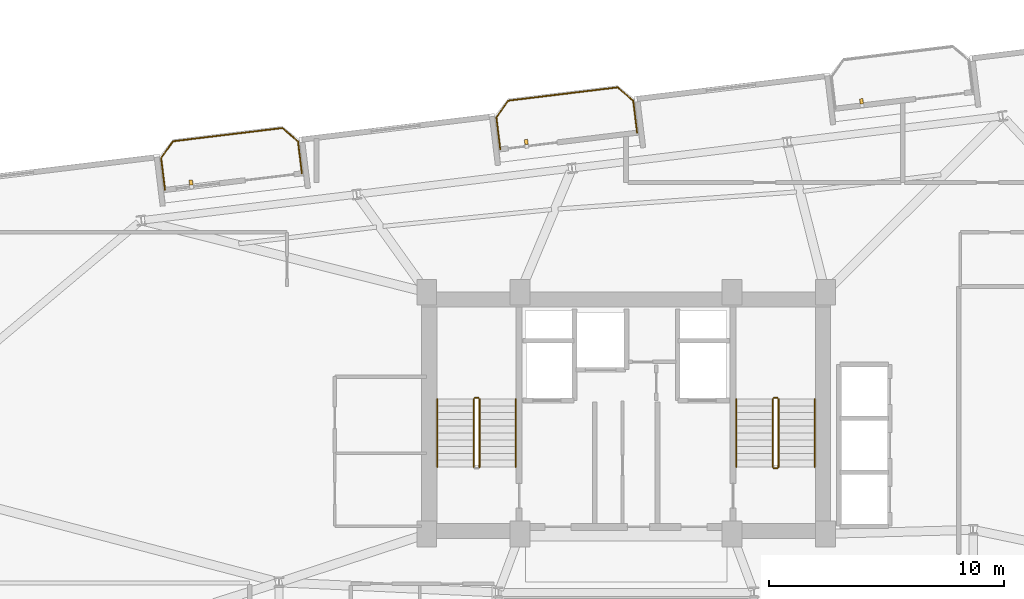
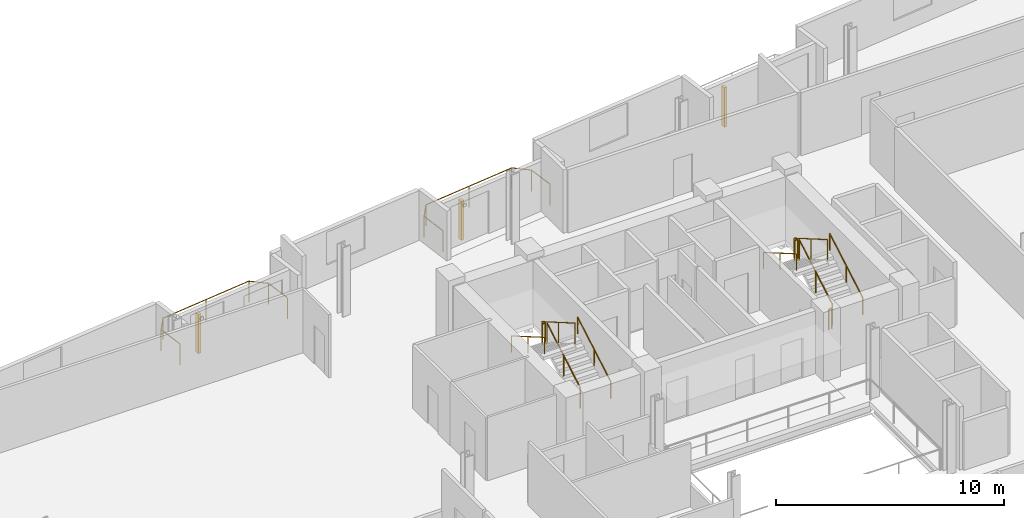
# One storey, part 21 of 22: 13 railings, 3 shading devices.
"""IFC4 building model written with IfcOpenShell, lengths in metres."""

from ifc_helpers import new_model, si_unit, direction, frame, origin, origin_2d, place, context, subcontext, project, spatial, rectangle, circle, extrude, source, transform, mapped, material, type_object, element, save


model = new_model("IFC4")

# Units and contexts
model_context = context("Model", 3, precision=1e-05, world=origin(), true_north=direction((0.0, 1.0)))
body_context = subcontext(model_context, "Body", "Model", "MODEL_VIEW")
ifc_project = project(units=[si_unit("LENGTHUNIT", "METRE"), si_unit("AREAUNIT", "SQUARE_METRE"), si_unit("VOLUMEUNIT", "CUBIC_METRE"), si_unit("PLANEANGLEUNIT", "RADIAN"), si_unit("MASSUNIT", "GRAM", prefix="KILO")], contexts=[model_context])

# Site, building, storey
site_placement = place(None, origin())
site = spatial("IfcSite", under=ifc_project, at=site_placement, CompositionType="ELEMENT")
building_placement = place(site_placement, origin())
building = spatial("IfcBuilding", under=site, at=building_placement, Name="Varnelok Gate Tower", CompositionType="ELEMENT")
storey_placement = place(building_placement, frame((0.0, 0.0, 204.199951171875)))
storey = spatial("IfcBuildingStorey", under=building, at=storey_placement, Name="L52", CompositionType="ELEMENT", Elevation=204.199951171875)

# Railings
ifc_material_1 = material(Name="Low-E Laminated Double Glazing IGU", Category="glass")
railing_type_1 = type_object("IfcRailingType", Name="RL-BALC-1150", PredefinedType="BALUSTRADE", material=ifc_material_1)
railing_1_placement = place(storey_placement, frame((19.537109375, 43.415283203125, 0.0)))
element("IfcRailing", 1, at=railing_1_placement, inside=storey, type_object=railing_type_1, Name="L52 North Terrace Balustrade 4", PredefinedType="BALUSTRADE", context=body_context, shape_type="SweptSolid", body=[
    extrude(circle(Radius=0.02392578125, at=origin_2d()), frame((0.0, 0.0, 1.1259765625), z_axis=(-0.1204590856, 0.992718292718, 0.0), x_axis=(-0.992718292718, -0.1204590856, 0.0)), (0.0, 0.0, 1.0), 1.3701171875),
    extrude(circle(Radius=0.02392578125, at=origin_2d()), frame((-0.1650390625, 1.360107421875, 1.1259765625), z_axis=(0.57815621837, 0.815926091726, 0.0), x_axis=(-0.815926091726, 0.57815621837, 0.0)), (0.0, 0.0, 1.0), 0.8779296875),
    extrude(circle(Radius=0.02392578125, at=origin_2d()), frame((0.342529296875, 2.076416015625, 1.1259765625), z_axis=(0.992730585037, 0.120357739811, 0.0), x_axis=(-0.120357739811, 0.992730585037, 0.0)), (0.0, 0.0, 1.0), 4.699951171875),
    extrude(circle(Radius=0.02392578125, at=origin_2d()), frame((5.00830078125, 2.64208984375, 1.1259765625), z_axis=(0.756285086452, -0.654242208979, 0.0), x_axis=(0.654242208979, 0.756285086452, 0.0)), (0.0, 0.0, 1.0), 0.878173828125),
    extrude(circle(Radius=0.02392578125, at=origin_2d()), frame((5.67236328125, 2.067626953125, 1.1259765625), z_axis=(0.120283471698, -0.992739586415, 0.0), x_axis=(0.992739586415, 0.120283471698, 0.0)), (0.0, 0.0, 1.0), 1.3701171875),
    extrude(circle(Radius=0.02099609375, at=origin_2d()), origin(), (0.0, 0.0, 1.0), 1.101806640625),
    extrude(circle(Radius=0.02099609375, at=origin_2d()), frame((-0.1650390625, 1.360107421875, 0.0)), (0.0, 0.0, 1.0), 1.101806640625),
    extrude(circle(Radius=0.02099609375, at=origin_2d()), frame((0.342529296875, 2.076416015625, 0.0)), (0.0, 0.0, 1.0), 1.101806640625),
    extrude(circle(Radius=0.02099609375, at=origin_2d()), frame((2.67529296875, 2.359375, 0.0)), (0.0, 0.0, 1.0), 1.101806640625),
    extrude(circle(Radius=0.02099609375, at=origin_2d()), frame((5.00830078125, 2.64208984375, 0.0)), (0.0, 0.0, 1.0), 1.101806640625),
    extrude(circle(Radius=0.02099609375, at=origin_2d()), frame((5.67236328125, 2.067626953125, 0.0)), (0.0, 0.0, 1.0), 1.101806640625),
    extrude(circle(Radius=0.02099609375, at=origin_2d()), frame((5.837158203125, 0.70751953125, 0.0)), (0.0, 0.0, 1.0), 1.101806640625),
])
railing_2_placement = place(storey_placement, frame((33.83251953125, 45.148193359375, 0.0)))
element("IfcRailing", 2, at=railing_2_placement, inside=storey, type_object=railing_type_1, Name="L52 North Terrace Balustrade 5", PredefinedType="BALUSTRADE", context=body_context, shape_type="SweptSolid", body=[
    extrude(circle(Radius=0.02392578125, at=origin_2d()), frame((0.0, 0.0, 1.1259765625), z_axis=(-0.1204590856, 0.992718292718, 0.0), x_axis=(-0.992718292718, -0.1204590856, 0.0)), (0.0, 0.0, 1.0), 1.3701171875),
    extrude(circle(Radius=0.02392578125, at=origin_2d()), frame((-0.1650390625, 1.360107421875, 1.1259765625), z_axis=(0.57815621837, 0.815926091726, 0.0), x_axis=(-0.815926091726, 0.57815621837, 0.0)), (0.0, 0.0, 1.0), 0.8779296875),
    extrude(circle(Radius=0.02392578125, at=origin_2d()), frame((0.342529296875, 2.076416015625, 1.1259765625), z_axis=(0.992730585037, 0.120357739811, 0.0), x_axis=(-0.120357739811, 0.992730585037, 0.0)), (0.0, 0.0, 1.0), 4.699951171875),
    extrude(circle(Radius=0.02392578125, at=origin_2d()), frame((5.00830078125, 2.64208984375, 1.1259765625), z_axis=(0.756303655992, -0.654220742513, 0.0), x_axis=(0.654220742513, 0.756303655992, 0.0)), (0.0, 0.0, 1.0), 0.877685546875),
    extrude(circle(Radius=0.02392578125, at=origin_2d()), frame((5.672119140625, 2.06787109375, 1.1259765625), z_axis=(0.1204590856, -0.992718292718, 0.0), x_axis=(0.992718292718, 0.1204590856, 0.0)), (0.0, 0.0, 1.0), 1.3701171875),
    extrude(circle(Radius=0.02099609375, at=origin_2d()), origin(), (0.0, 0.0, 1.0), 1.101806640625),
    extrude(circle(Radius=0.02099609375, at=origin_2d()), frame((-0.1650390625, 1.360107421875, 0.0)), (0.0, 0.0, 1.0), 1.101806640625),
    extrude(circle(Radius=0.02099609375, at=origin_2d()), frame((0.342529296875, 2.076416015625, 0.0)), (0.0, 0.0, 1.0), 1.101806640625),
    extrude(circle(Radius=0.02099609375, at=origin_2d()), frame((2.67529296875, 2.359375, 0.0)), (0.0, 0.0, 1.0), 1.101806640625),
    extrude(circle(Radius=0.02099609375, at=origin_2d()), frame((5.00830078125, 2.64208984375, 0.0)), (0.0, 0.0, 1.0), 1.101806640625),
    extrude(circle(Radius=0.02099609375, at=origin_2d()), frame((5.672119140625, 2.06787109375, 0.0)), (0.0, 0.0, 1.0), 1.101806640625),
    extrude(circle(Radius=0.02099609375, at=origin_2d()), frame((5.837158203125, 0.707763671875, 0.0)), (0.0, 0.0, 1.0), 1.101806640625),
])
ifc_material_2 = material(Name="Brushed Stainless Steel AISI 316", Category="steel")
railing_type_2 = type_object("IfcRailingType", Name="RL-HANDRAIL-900", PredefinedType="HANDRAIL", material=ifc_material_2)
railing_3_placement = place(storey_placement, frame((34.5, 31.60009765625, 0.168212890625)))
element("IfcRailing", 3, at=railing_3_placement, inside=storey, type_object=railing_type_2, Name="L52 ST-1 stair handrail 1", PredefinedType="HANDRAIL", context=body_context, shape_type="SweptSolid", body=[
    extrude(circle(Radius=0.02392578125, at=origin_2d()), frame((0.0, 0.0, 0.8759765625), z_axis=(0.0, 0.865038774852, 0.501705010941), x_axis=(-1.0, 0.0, 0.0)), (0.0, 0.0, 1.0), 3.352294921875),
    extrude(circle(Radius=0.02099609375, at=origin_2d()), origin(), (0.0, 0.0, 1.0), 0.851806640625),
    extrude(circle(Radius=0.02099609375, at=origin_2d()), frame((0.0, 1.449951171875, 0.8408203125)), (0.0, 0.0, 1.0), 0.851806640625),
    extrude(circle(Radius=0.02099609375, at=origin_2d()), frame((0.0, 2.89990234375, 1.681884765625)), (0.0, 0.0, 1.0), 0.851806640625),
])
railing_4_placement = place(storey_placement, frame((31.14990234375, 34.5, 2.018310546875)))
element("IfcRailing", 4, at=railing_4_placement, inside=storey, type_object=railing_type_2, Name="L52 ST-1 stair handrail 2", PredefinedType="HANDRAIL", context=body_context, shape_type="SweptSolid", body=[
    extrude(circle(Radius=0.02392578125, at=origin_2d()), frame((0.0, 0.0, 0.8759765625), z_axis=(0.0, -0.86507038078, 0.501650512107), x_axis=(1.0, 0.0, 0.0)), (0.0, 0.0, 1.0), 3.352294921875),
    extrude(circle(Radius=0.02099609375, at=origin_2d()), origin(), (0.0, 0.0, 1.0), 0.851806640625),
    extrude(circle(Radius=0.02099609375, at=origin_2d()), frame((0.0, -1.449951171875, 0.8408203125)), (0.0, 0.0, 1.0), 0.851806640625),
    extrude(circle(Radius=0.02099609375, at=origin_2d()), frame((0.0, -2.89990234375, 1.681640625)), (0.0, 0.0, 1.0), 0.851806640625),
])
railing_5_placement = place(storey_placement, frame((47.25, 31.60009765625, 0.168212890625)))
element("IfcRailing", 5, at=railing_5_placement, inside=storey, type_object=railing_type_2, Name="L52 ST-2 stair handrail 1", PredefinedType="HANDRAIL", context=body_context, shape_type="SweptSolid", body=[
    extrude(circle(Radius=0.02392578125, at=origin_2d()), frame((0.0, 0.0, 0.8759765625), z_axis=(0.0, 0.865038774852, 0.501705010941), x_axis=(-1.0, 0.0, 0.0)), (0.0, 0.0, 1.0), 3.352294921875),
    extrude(circle(Radius=0.02099609375, at=origin_2d()), origin(), (0.0, 0.0, 1.0), 0.851806640625),
    extrude(circle(Radius=0.02099609375, at=origin_2d()), frame((0.0, 1.449951171875, 0.8408203125)), (0.0, 0.0, 1.0), 0.851806640625),
    extrude(circle(Radius=0.02099609375, at=origin_2d()), frame((0.0, 2.89990234375, 1.681884765625)), (0.0, 0.0, 1.0), 0.851806640625),
])
railing_6_placement = place(storey_placement, frame((43.89990234375, 34.5, 2.018310546875)))
element("IfcRailing", 6, at=railing_6_placement, inside=storey, type_object=railing_type_2, Name="L52 ST-2 stair handrail 2", PredefinedType="HANDRAIL", context=body_context, shape_type="SweptSolid", body=[
    extrude(circle(Radius=0.02392578125, at=origin_2d()), frame((0.0, 0.0, 0.8759765625), z_axis=(0.0, -0.86507038078, 0.501650512107), x_axis=(1.0, 0.0, 0.0)), (0.0, 0.0, 1.0), 3.352294921875),
    extrude(circle(Radius=0.02099609375, at=origin_2d()), origin(), (0.0, 0.0, 1.0), 0.851806640625),
    extrude(circle(Radius=0.02099609375, at=origin_2d()), frame((0.0, -1.449951171875, 0.8408203125)), (0.0, 0.0, 1.0), 0.851806640625),
    extrude(circle(Radius=0.02099609375, at=origin_2d()), frame((0.0, -2.89990234375, 1.681640625)), (0.0, 0.0, 1.0), 0.851806640625),
])
ifc_material_3 = material(Name="Galvanized Steel Grade S350GD", Category="steel")
railing_type_3 = type_object("IfcRailingType", Name="RL-STAIR-GUARD1120", PredefinedType="GUARDRAIL", material=ifc_material_3)
railing_7_placement = place(storey_placement, frame((32.949951171875, 31.60009765625, 0.168212890625)))
element("IfcRailing", 7, at=railing_7_placement, inside=storey, type_object=railing_type_3, Name="L52 ST-1 stair guard 1", PredefinedType="GUARDRAIL", context=body_context, shape_type="SweptSolid", body=[
    extrude(circle(Radius=0.02392578125, at=origin_2d()), frame((0.0, 0.0, 1.09619140625), z_axis=(0.0, 0.865038774852, 0.501705010941), x_axis=(-1.0, 0.0, 0.0)), (0.0, 0.0, 1.0), 3.352294921875),
    extrude(circle(Radius=0.02099609375, at=origin_2d()), origin(), (0.0, 0.0, 1.0), 1.072021484375),
    extrude(circle(Radius=0.02099609375, at=origin_2d()), frame((0.0, 1.449951171875, 0.8408203125)), (0.0, 0.0, 1.0), 1.072021484375),
    extrude(circle(Radius=0.02099609375, at=origin_2d()), frame((0.0, 2.89990234375, 1.681884765625)), (0.0, 0.0, 1.0), 1.072021484375),
])
railing_8_placement = place(storey_placement, frame((32.89990234375, 34.550048828125, 1.85009765625)))
element("IfcRailing", 8, at=railing_8_placement, inside=storey, type_object=railing_type_3, Name="L52 ST-1 stair guard 2", PredefinedType="GUARDRAIL", context=body_context, shape_type="SweptSolid", body=[
    extrude(circle(Radius=0.02392578125, at=origin_2d()), frame((0.0, 0.0, 1.09619140625), z_axis=(-1.0, 0.0, 0.0), x_axis=(0.0, -1.0, 0.0)), (0.0, 0.0, 1.0), 0.14990234375),
    extrude(circle(Radius=0.02099609375, at=origin_2d()), origin(), (0.0, 0.0, 1.0), 1.072021484375),
    extrude(circle(Radius=0.02099609375, at=origin_2d()), frame((-0.14990234375, 0.0, 0.0)), (0.0, 0.0, 1.0), 1.072021484375),
])
railing_9_placement = place(storey_placement, frame((32.699951171875, 34.5, 2.018310546875)))
element("IfcRailing", 9, at=railing_9_placement, inside=storey, type_object=railing_type_3, Name="L52 ST-1 stair guard 3", PredefinedType="GUARDRAIL", context=body_context, shape_type="SweptSolid", body=[
    extrude(circle(Radius=0.02392578125, at=origin_2d()), frame((0.0, 0.0, 1.09619140625), z_axis=(0.0, -0.86507038078, 0.501650512107), x_axis=(1.0, 0.0, 0.0)), (0.0, 0.0, 1.0), 3.352294921875),
    extrude(circle(Radius=0.02099609375, at=origin_2d()), origin(), (0.0, 0.0, 1.0), 1.072021484375),
    extrude(circle(Radius=0.02099609375, at=origin_2d()), frame((0.0, -1.449951171875, 0.8408203125)), (0.0, 0.0, 1.0), 1.072021484375),
    extrude(circle(Radius=0.02099609375, at=origin_2d()), frame((0.0, -2.89990234375, 1.681640625)), (0.0, 0.0, 1.0), 1.072021484375),
])
railing_10_placement = place(storey_placement, frame((45.699951171875, 31.60009765625, 0.168212890625)))
element("IfcRailing", 10, at=railing_10_placement, inside=storey, type_object=railing_type_3, Name="L52 ST-2 stair guard 1", PredefinedType="GUARDRAIL", context=body_context, shape_type="SweptSolid", body=[
    extrude(circle(Radius=0.02392578125, at=origin_2d()), frame((0.0, 0.0, 1.09619140625), z_axis=(0.0, 0.865038774852, 0.501705010941), x_axis=(-1.0, 0.0, 0.0)), (0.0, 0.0, 1.0), 3.352294921875),
    extrude(circle(Radius=0.02099609375, at=origin_2d()), origin(), (0.0, 0.0, 1.0), 1.072021484375),
    extrude(circle(Radius=0.02099609375, at=origin_2d()), frame((0.0, 1.449951171875, 0.8408203125)), (0.0, 0.0, 1.0), 1.072021484375),
    extrude(circle(Radius=0.02099609375, at=origin_2d()), frame((0.0, 2.89990234375, 1.681884765625)), (0.0, 0.0, 1.0), 1.072021484375),
])
railing_11_placement = place(storey_placement, frame((45.64990234375, 34.550048828125, 1.85009765625)))
element("IfcRailing", 11, at=railing_11_placement, inside=storey, type_object=railing_type_3, Name="L52 ST-2 stair guard 2", PredefinedType="GUARDRAIL", context=body_context, shape_type="SweptSolid", body=[
    extrude(circle(Radius=0.02392578125, at=origin_2d()), frame((0.0, 0.0, 1.09619140625), z_axis=(-1.0, 0.0, 0.0), x_axis=(0.0, -1.0, 0.0)), (0.0, 0.0, 1.0), 0.14990234375),
    extrude(circle(Radius=0.02099609375, at=origin_2d()), origin(), (0.0, 0.0, 1.0), 1.072021484375),
    extrude(circle(Radius=0.02099609375, at=origin_2d()), frame((-0.14990234375, 0.0, 0.0)), (0.0, 0.0, 1.0), 1.072021484375),
])
railing_12_placement = place(storey_placement, frame((45.449951171875, 34.5, 2.018310546875)))
element("IfcRailing", 12, at=railing_12_placement, inside=storey, type_object=railing_type_3, Name="L52 ST-2 stair guard 3", PredefinedType="GUARDRAIL", context=body_context, shape_type="SweptSolid", body=[
    extrude(circle(Radius=0.02392578125, at=origin_2d()), frame((0.0, 0.0, 1.09619140625), z_axis=(0.0, -0.86507038078, 0.501650512107), x_axis=(1.0, 0.0, 0.0)), (0.0, 0.0, 1.0), 3.352294921875),
    extrude(circle(Radius=0.02099609375, at=origin_2d()), origin(), (0.0, 0.0, 1.0), 1.072021484375),
    extrude(circle(Radius=0.02099609375, at=origin_2d()), frame((0.0, -1.449951171875, 0.8408203125)), (0.0, 0.0, 1.0), 1.072021484375),
    extrude(circle(Radius=0.02099609375, at=origin_2d()), frame((0.0, -2.89990234375, 1.681640625)), (0.0, 0.0, 1.0), 1.072021484375),
])
railing_13_placement = place(storey_placement, frame((45.64990234375, 31.550048828125, 0.0)))
element("IfcRailing", 13, at=railing_13_placement, inside=storey, type_object=railing_type_3, Name="L52 ST-2 stair guard 4", PredefinedType="GUARDRAIL", context=body_context, shape_type="SweptSolid", body=[
    extrude(circle(Radius=0.02392578125, at=origin_2d()), frame((0.0, 0.0, 1.09619140625), z_axis=(-1.0, 0.0, 0.0), x_axis=(0.0, -1.0, 0.0)), (0.0, 0.0, 1.0), 0.14990234375),
    extrude(circle(Radius=0.02099609375, at=origin_2d()), origin(), (0.0, 0.0, 1.0), 1.072021484375),
    extrude(circle(Radius=0.02099609375, at=origin_2d()), frame((-0.14990234375, 0.0, 0.0)), (0.0, 0.0, 1.0), 1.072021484375),
])

# Shading devices
ifc_material_4 = material(Name="Glazed Architectural Terracotta Ceramic", Category="masonry")
shading_device_type = type_object("IfcShadingDeviceType", Name="SHD-TERRA-BAGUETTE", PredefinedType="USERDEFINED", material=ifc_material_4)
shared_shape = source(origin(), body_context, "Body", "SweptSolid", [
    extrude(rectangle(XDim=0.139892578125, YDim=0.219970703125, at=origin_2d()), origin(), (0.0, 0.0, 1.0), 2.10009765625),
])
for number, where, z_axis, x_axis, name in (
    (14, (20.647216796875, 43.731201171875, 0.10009765625), (0.0, 0.0, 1.0), (0.992732158755, 0.12034475881, 0.0), "L52 Terracotta Ceramic Baguette Sunscreen 4.1"),
    (15, (34.9423828125, 45.464111328125, 0.10009765625), (0.0, 0.0, 1.0), (0.992732158755, 0.12034475881, 0.0), "L52 Terracotta Ceramic Baguette Sunscreen 5.1"),
    (16, (49.23779296875, 47.197021484375, 0.10009765625), (0.0, 0.0, 1.0), (0.992732158755, 0.12034475881, 0.0), "L52 Terracotta Ceramic Baguette Sunscreen 6.1"),
):
    element("IfcShadingDevice", number, at=place(storey_placement, frame(where, z_axis=z_axis, x_axis=x_axis)), inside=storey, type_object=shading_device_type, Name=name, ObjectType="BAGUETTE", PredefinedType="USERDEFINED", context=body_context, shape_type="MappedRepresentation", body=[
        mapped(shared_shape, transform((0.0, 0.0, 0.0), scale=1.0)),
    ])

save(model, "model.ifc")
